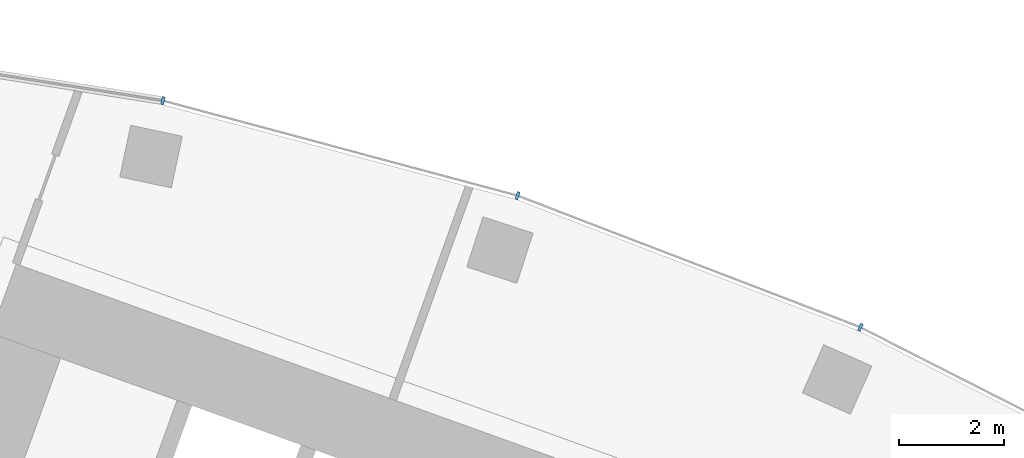
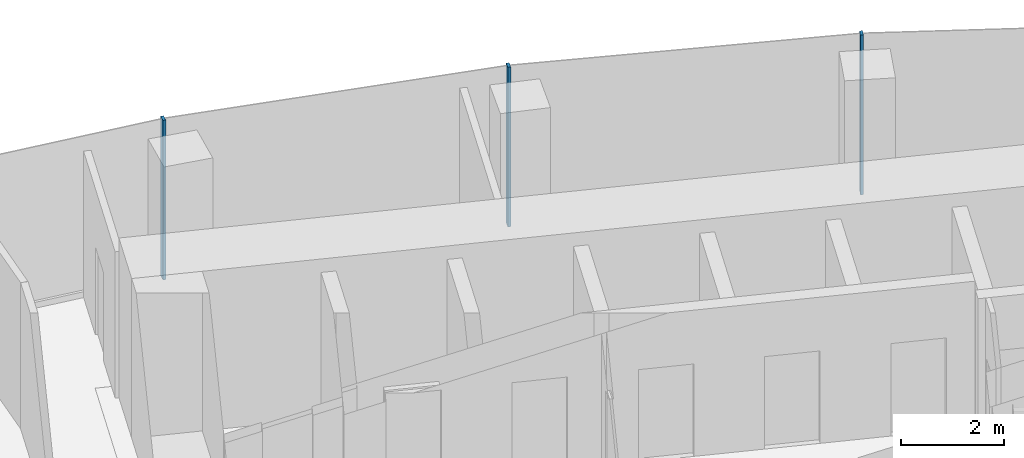
# One storey, part 10 of 21: 3 members, 1 element without a shape of its own.
"""IFC4 building model written with IfcOpenShell, lengths in metres."""

from ifc_helpers import new_model, si_unit, direction, frame, origin, origin_2d, place, context, subcontext, project, spatial, rectangle, extrude, material, layer, layer_set, material_profile, profile_set, type_object, element, aggregate, save


model = new_model("IFC4")

# Units and contexts
model_context = context("Model", 3, precision=1e-05, world=origin(), true_north=direction((0.0, 1.0)))
body_context = subcontext(model_context, "Body", "Model", "MODEL_VIEW")
ifc_project = project(units=[si_unit("LENGTHUNIT", "METRE"), si_unit("AREAUNIT", "SQUARE_METRE"), si_unit("VOLUMEUNIT", "CUBIC_METRE"), si_unit("PLANEANGLEUNIT", "RADIAN"), si_unit("MASSUNIT", "GRAM", prefix="KILO")], contexts=[model_context])

# Site, building, storey
site_placement = place(None, origin())
site = spatial("IfcSite", under=ifc_project, at=site_placement, CompositionType="ELEMENT")
building_placement = place(site_placement, origin())
building = spatial("IfcBuilding", under=site, at=building_placement, Name="Stone Belt Terrace Tower", CompositionType="ELEMENT")
storey_placement = place(building_placement, frame((0.0, 0.0, 163.0)))
storey = spatial("IfcBuildingStorey", under=building, at=storey_placement, Name="L39", CompositionType="ELEMENT", Elevation=163.0)

# Curtain wall, members
ifc_material = material(Name="Aluminium 6063-T6 anodised frame", Category="aluminium")
ifc_layer = layer(ifc_material, 0.14990234375)
ifc_layer_set = layer_set([ifc_layer], Name="CW-A unitised convex-face curtain wall")
curtain_wall_type = type_object("IfcCurtainWallType", Name="CW-A unitised convex-face curtain wall", PredefinedType="NOTDEFINED", material=ifc_layer_set)
curtain_wall_placement = place(storey_placement, origin())
curtain_wall = element("IfcCurtainWall", 1, at=curtain_wall_placement, inside=storey, type_object=curtain_wall_type, Name="CW-A convex face L39", PredefinedType="NOTDEFINED")
ifc_material_profile = material_profile(ifc_material, rectangle(XDim=0.14990234375, YDim=0.06005859375, at=origin_2d()), Name="Aluminium 6063-T6 60x150")
ifc_profile_set = profile_set([ifc_material_profile], Name="Aluminium 6063-T6 anodised frame")
member_type = type_object("IfcMemberType", Name="CW-A mullion 60 x 150", PredefinedType="MULLION", material=ifc_profile_set)
member_1_placement = place(storey_placement, frame((27.07861328125, 60.8193359375, 0.0), z_axis=(0.0, 0.0, 1.0), x_axis=(-0.406736643076, -0.913545457643, 0.0)))
member_1 = element("IfcMember", 2, at=member_1_placement, type_object=member_type, Name="CW-A mullion 5", PredefinedType="MULLION", context=body_context, shape_type="SweptSolid", body=[
    extrude(rectangle(XDim=0.14990234375, YDim=0.06005859375, at=origin_2d()), origin(), (0.0, 0.0, 1.0), 3.800048828125),
])
member_2_placement = place(storey_placement, frame((20.57275390625, 63.316650390625, 0.0), z_axis=(0.0, 0.0, 1.0), x_axis=(-0.309016994375, -0.951056516295, 0.0)))
member_2 = element("IfcMember", 3, at=member_2_placement, type_object=member_type, Name="CW-A mullion 6", PredefinedType="MULLION", context=body_context, shape_type="SweptSolid", body=[
    extrude(rectangle(XDim=0.14990234375, YDim=0.06005859375, at=origin_2d()), origin(), (0.0, 0.0, 1.0), 3.800048828125),
])
member_3_placement = place(storey_placement, frame((13.841796875, 65.120361328125, 0.0), z_axis=(0.0, 0.0, 1.0), x_axis=(-0.207911690818, -0.978147600734, 0.0)))
member_3 = element("IfcMember", 4, at=member_3_placement, type_object=member_type, Name="CW-A mullion 7", PredefinedType="MULLION", context=body_context, shape_type="SweptSolid", body=[
    extrude(rectangle(XDim=0.14990234375, YDim=0.06005859375, at=origin_2d()), origin(), (0.0, 0.0, 1.0), 3.800048828125),
])
aggregate(curtain_wall, [member_1, member_2, member_3])

save(model, "model.ifc")
